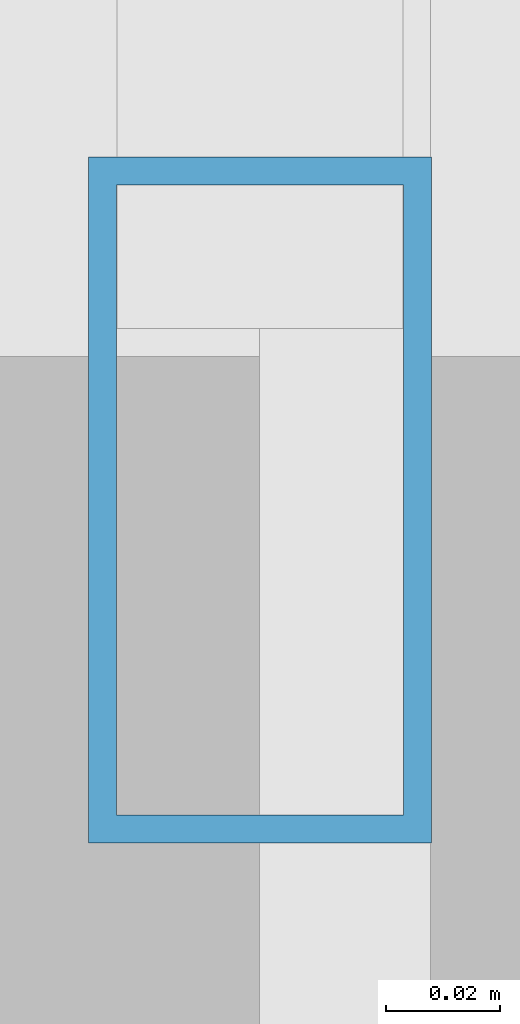
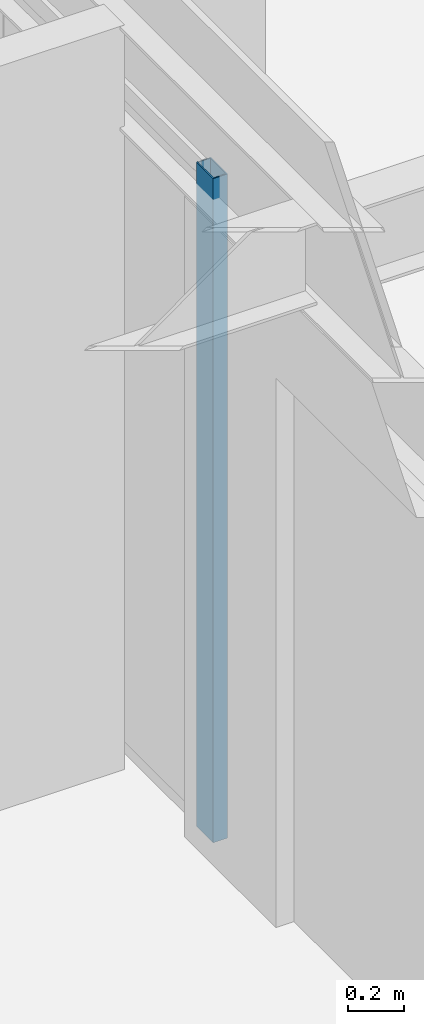
# One storey, part 17 of 31: 1 member, 1 element without a shape of its own.
"""IFC4 building model written with IfcOpenShell, lengths in metres."""

from ifc_helpers import new_model, si_unit, direction, frame, origin, origin_2d, place, context, subcontext, project, spatial, hollow_rectangle, extrude, material, material_profile, profile_set, type_object, element, aggregate, save


model = new_model("IFC4")

# Units and contexts
model_context = context("Model", 3, precision=1e-05, world=origin(), true_north=direction((0.0, 1.0)))
body_context = subcontext(model_context, "Body", "Model", "MODEL_VIEW")
ifc_project = project(units=[si_unit("LENGTHUNIT", "METRE"), si_unit("AREAUNIT", "SQUARE_METRE"), si_unit("VOLUMEUNIT", "CUBIC_METRE"), si_unit("PLANEANGLEUNIT", "RADIAN"), si_unit("MASSUNIT", "GRAM", prefix="KILO")], contexts=[model_context])

# Site, building, storey
site_placement = place(None, origin())
site = spatial("IfcSite", under=ifc_project, at=site_placement, CompositionType="ELEMENT")
building_placement = place(site_placement, origin())
building = spatial("IfcBuilding", under=site, at=building_placement, Name="Catenary Quay Ferry Terminal", CompositionType="ELEMENT")
storey_placement = place(building_placement, frame((0.0, 0.0, 20.60009765625)))
storey = spatial("IfcBuildingStorey", under=building, at=storey_placement, Name="L04", CompositionType="ELEMENT", Elevation=20.60009765625)

# Curtain wall, member
ifc_material_1 = material(Name="Aluminium and glass", Category="aluminium")
curtain_wall_type = type_object("IfcCurtainWallType", Name="CWW5", PredefinedType="NOTDEFINED", material=ifc_material_1)
curtain_wall_placement = place(storey_placement, origin())
curtain_wall = element("IfcCurtainWall", 1, at=curtain_wall_placement, inside=storey, type_object=curtain_wall_type, Name="Wing curtain wall CW161", PredefinedType="NOTDEFINED")
ifc_material_2 = material(Name="Aluminium", Category="aluminium")
ifc_material_profile = material_profile(ifc_material_2, hollow_rectangle(XDim=0.06005859375, YDim=0.1201171875, WallThickness=0.0048828125, at=origin_2d()), Name="MU4")
ifc_profile_set = profile_set([ifc_material_profile], Name="Aluminium")
member_type = type_object("IfcMemberType", Name="MU4", PredefinedType="MULLION", material=ifc_profile_set)
member_placement = place(storey_placement, frame((42.0, 188.429931640625, 0.0), z_axis=(0.0, 0.0, 1.0), x_axis=(-1.0, 0.0, 0.0)))
member = element("IfcMember", 2, at=member_placement, type_object=member_type, Name="CW161 mullion 1", PredefinedType="MULLION", context=body_context, shape_type="SweptSolid", body=[
    extrude(hollow_rectangle(XDim=0.06005859375, YDim=0.1201171875, WallThickness=0.0048828125, at=origin_2d()), origin(), (0.0, 0.0, 1.0), 2.89990234375),
])
aggregate(curtain_wall, [member])

save(model, "model.ifc")
